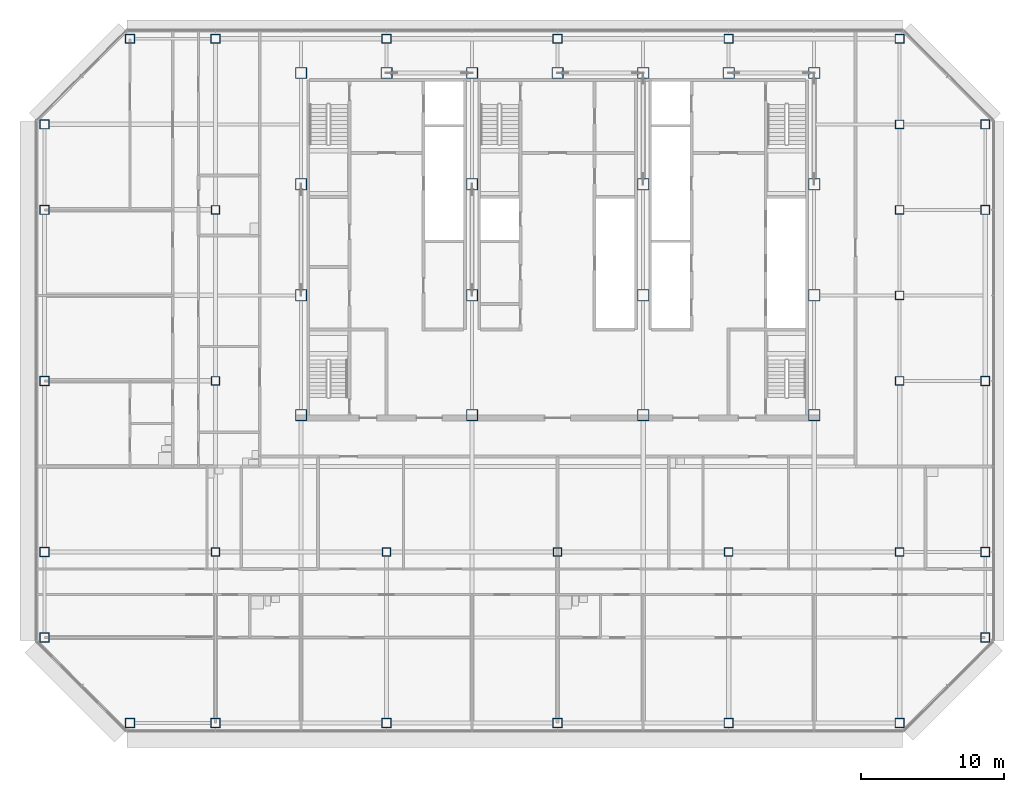
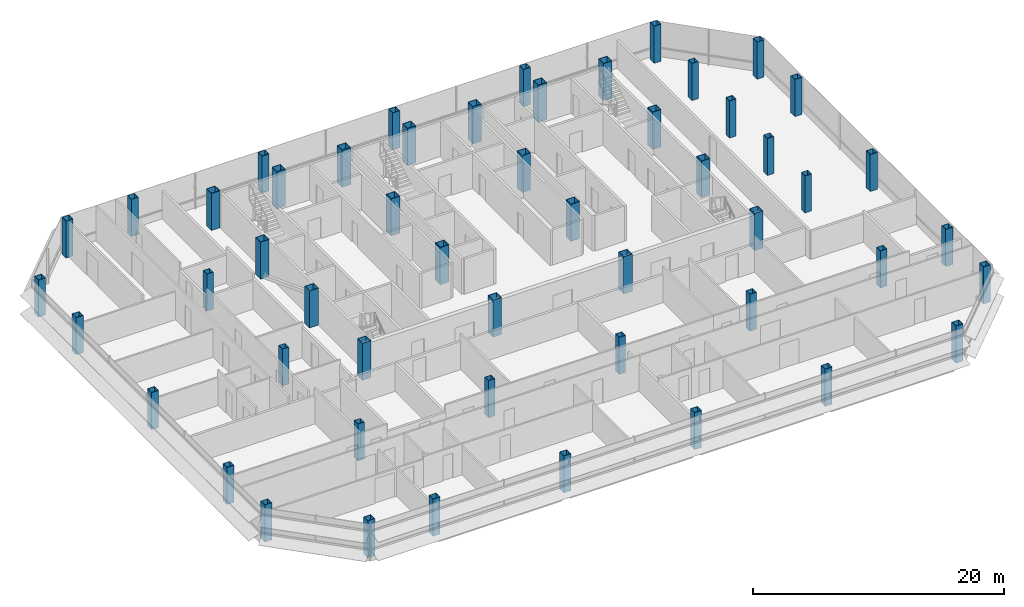
# One storey, part 1 of 26: 52 columns.
"""IFC4 building model written with IfcOpenShell, lengths in metres."""

from ifc_helpers import new_model, si_unit, direction, frame, origin, origin_2d, place, context, subcontext, project, spatial, hollow_rectangle, extrude, material, material_profile, profile_set, type_object, element, save


model = new_model("IFC4")

# Units and contexts
model_context = context("Model", 3, precision=1e-05, world=origin(), true_north=direction((0.0, 1.0)))
body_context = subcontext(model_context, "Body", "Model", "MODEL_VIEW")
ifc_project = project(units=[si_unit("LENGTHUNIT", "METRE"), si_unit("AREAUNIT", "SQUARE_METRE"), si_unit("VOLUMEUNIT", "CUBIC_METRE"), si_unit("PLANEANGLEUNIT", "RADIAN"), si_unit("MASSUNIT", "GRAM", prefix="KILO")], contexts=[model_context])

# Site, building, storey
site_placement = place(None, origin())
site = spatial("IfcSite", under=ifc_project, at=site_placement, CompositionType="ELEMENT")
building_placement = place(site_placement, origin())
building = spatial("IfcBuilding", under=site, at=building_placement, Name="Sorahane Residences", CompositionType="ELEMENT")
storey_placement = place(building_placement, frame((0.0, 0.0, 219.0)))
storey = spatial("IfcBuildingStorey", under=building, at=storey_placement, Name="L51", CompositionType="ELEMENT", Elevation=219.0)

# Columns
ifc_material_1 = material(Name="Steel Q355B", Category="steel")
ifc_material_profile_1 = material_profile(ifc_material_1, hollow_rectangle(XDim=0.60009765625, YDim=0.60009765625, WallThickness=0.028076171875, at=origin_2d()), Name="BOX 600x600x28")
ifc_profile_set_1 = profile_set([ifc_material_profile_1], Name="Steel Q355B")
column_type_1 = type_object("IfcColumnType", Name="Steel box column BOX 600x600x28 Q355B", PredefinedType="COLUMN", material=ifc_profile_set_1)
for number, where, z_axis, x_axis, name in (
    (1, (0.0, 12.0, 0.0), (0.0, 0.0, 1.0), (1.0, 0.0, 0.0), "Column L51 0/12"),
    (2, (0.0, 24.0, 0.0), (0.0, 0.0, 1.0), (1.0, 0.0, 0.0), "Column L51 0/24"),
    (3, (0.0, 36.0, 0.0), (0.0, 0.0, 1.0), (1.0, 0.0, 0.0), "Column L51 0/36"),
    (4, (12.0, 12.0, 0.0), (0.0, 0.0, 1.0), (1.0, 0.0, 0.0), "Column L51 12/12"),
    (5, (24.0, 12.0, 0.0), (0.0, 0.0, 1.0), (1.0, 0.0, 0.0), "Column L51 24/12"),
    (6, (36.0, 12.0, 0.0), (0.0, 0.0, 1.0), (1.0, 0.0, 0.0), "Column L51 36/12"),
    (7, (48.0, 12.0, 0.0), (0.0, 0.0, 1.0), (1.0, 0.0, 0.0), "Column L51 48/12"),
    (8, (48.0, 24.0, 0.0), (0.0, 0.0, 1.0), (1.0, 0.0, 0.0), "Column L51 48/24"),
    (9, (48.0, 30.0, 0.0), (0.0, 0.0, 1.0), (1.0, 0.0, 0.0), "Column L51 48/30"),
    (10, (48.0, 36.0, 0.0), (0.0, 0.0, 1.0), (1.0, 0.0, 0.0), "Column L51 48/36"),
    (11, (48.0, 42.0, 0.0), (0.0, 0.0, 1.0), (1.0, 0.0, 0.0), "Column L51 48/42"),
):
    element("IfcColumn", number, at=place(storey_placement, frame(where, z_axis=z_axis, x_axis=x_axis)), inside=storey, type_object=column_type_1, Name=name, PredefinedType="COLUMN", context=body_context, shape_type="SweptSolid", body=[
        extrude(hollow_rectangle(XDim=0.60009765625, YDim=0.60009765625, WallThickness=0.028076171875, at=origin_2d()), origin(), (0.0, 0.0, 1.0), 3.60009765625),
    ])
ifc_material_2 = material(Name="Steel Q355B", Category="steel")
ifc_material_profile_2 = material_profile(ifc_material_2, hollow_rectangle(XDim=0.64990234375, YDim=0.64990234375, WallThickness=0.031982421875, at=origin_2d()), Name="BOX 650x650x32")
ifc_profile_set_2 = profile_set([ifc_material_profile_2], Name="Steel Q355B")
column_type_2 = type_object("IfcColumnType", Name="Steel box column BOX 650x650x32 Q355B", PredefinedType="COLUMN", material=ifc_profile_set_2)
for number, where, z_axis, x_axis, name in (
    (12, (-12.0, 6.0, 0.0), (0.0, 0.0, 1.0), (1.0, 0.0, 0.0), "Column L51 m12/6"),
    (13, (-12.0, 12.0, 0.0), (0.0, 0.0, 1.0), (1.0, 0.0, 0.0), "Column L51 m12/12"),
    (14, (-12.0, 24.0, 0.0), (0.0, 0.0, 1.0), (1.0, 0.0, 0.0), "Column L51 m12/24"),
    (15, (-12.0, 36.0, 0.0), (0.0, 0.0, 1.0), (1.0, 0.0, 0.0), "Column L51 m12/36"),
    (16, (-12.0, 42.0, 0.0), (0.0, 0.0, 1.0), (1.0, 0.0, 0.0), "Column L51 m12/42"),
    (17, (-6.0, 0.0, 0.0), (0.0, 0.0, 1.0), (1.0, 0.0, 0.0), "Column L51 m6/0"),
    (18, (-6.0, 48.0, 0.0), (0.0, 0.0, 1.0), (1.0, 0.0, 0.0), "Column L51 m6/48"),
    (19, (0.0, 0.0, 0.0), (0.0, 0.0, 1.0), (1.0, 0.0, 0.0), "Column L51 0/0"),
    (20, (0.0, 48.0, 0.0), (0.0, 0.0, 1.0), (1.0, 0.0, 0.0), "Column L51 0/48"),
    (21, (12.0, 0.0, 0.0), (0.0, 0.0, 1.0), (1.0, 0.0, 0.0), "Column L51 12/0"),
    (22, (12.0, 48.0, 0.0), (0.0, 0.0, 1.0), (1.0, 0.0, 0.0), "Column L51 12/48"),
    (23, (24.0, 0.0, 0.0), (0.0, 0.0, 1.0), (1.0, 0.0, 0.0), "Column L51 24/0"),
    (24, (24.0, 48.0, 0.0), (0.0, 0.0, 1.0), (1.0, 0.0, 0.0), "Column L51 24/48"),
    (25, (36.0, 0.0, 0.0), (0.0, 0.0, 1.0), (1.0, 0.0, 0.0), "Column L51 36/0"),
    (26, (36.0, 48.0, 0.0), (0.0, 0.0, 1.0), (1.0, 0.0, 0.0), "Column L51 36/48"),
    (27, (48.0, 0.0, 0.0), (0.0, 0.0, 1.0), (1.0, 0.0, 0.0), "Column L51 48/0"),
    (28, (48.0, 48.0, 0.0), (0.0, 0.0, 1.0), (1.0, 0.0, 0.0), "Column L51 48/48"),
    (29, (54.0, 6.0, 0.0), (0.0, 0.0, 1.0), (1.0, 0.0, 0.0), "Column L51 54/6"),
    (30, (54.0, 12.0, 0.0), (0.0, 0.0, 1.0), (1.0, 0.0, 0.0), "Column L51 54/12"),
    (31, (54.0, 24.0, 0.0), (0.0, 0.0, 1.0), (1.0, 0.0, 0.0), "Column L51 54/24"),
    (32, (54.0, 36.0, 0.0), (0.0, 0.0, 1.0), (1.0, 0.0, 0.0), "Column L51 54/36"),
    (33, (54.0, 42.0, 0.0), (0.0, 0.0, 1.0), (1.0, 0.0, 0.0), "Column L51 54/42"),
):
    element("IfcColumn", number, at=place(storey_placement, frame(where, z_axis=z_axis, x_axis=x_axis)), inside=storey, type_object=column_type_2, Name=name, PredefinedType="COLUMN", context=body_context, shape_type="SweptSolid", body=[
        extrude(hollow_rectangle(XDim=0.64990234375, YDim=0.64990234375, WallThickness=0.031982421875, at=origin_2d()), origin(), (0.0, 0.0, 1.0), 3.60009765625),
    ])
ifc_material_3 = material(Name="Steel Q355B", Category="steel")
ifc_material_profile_3 = material_profile(ifc_material_3, hollow_rectangle(XDim=0.800048828125, YDim=0.800048828125, WallThickness=0.0400390625, at=origin_2d()), Name="BOX 800x800x40")
ifc_profile_set_3 = profile_set([ifc_material_profile_3], Name="Steel Q355B")
column_type_3 = type_object("IfcColumnType", Name="Steel box column BOX 800x800x40 Q355B", PredefinedType="COLUMN", material=ifc_profile_set_3)
for number, where, z_axis, x_axis, name in (
    (34, (6.0, 21.60009765625, 0.0), (0.0, 0.0, 1.0), (1.0, 0.0, 0.0), "Column L51 6/21.6"),
    (35, (6.0, 30.0, 0.0), (0.0, 0.0, 1.0), (1.0, 0.0, 0.0), "Column L51 6/30"),
    (36, (6.0, 37.800048828125, 0.0), (0.0, 0.0, 1.0), (1.0, 0.0, 0.0), "Column L51 6/37.8"),
    (37, (6.0, 45.60009765625, 0.0), (0.0, 0.0, 1.0), (1.0, 0.0, 0.0), "Column L51 6/45.6"),
    (38, (12.0, 45.60009765625, 0.0), (0.0, 0.0, 1.0), (1.0, 0.0, 0.0), "Column L51 12/45.6"),
    (39, (18.0, 21.60009765625, 0.0), (0.0, 0.0, 1.0), (1.0, 0.0, 0.0), "Column L51 18/21.6"),
    (40, (18.0, 30.0, 0.0), (0.0, 0.0, 1.0), (1.0, 0.0, 0.0), "Column L51 18/30"),
    (41, (18.0, 37.800048828125, 0.0), (0.0, 0.0, 1.0), (1.0, 0.0, 0.0), "Column L51 18/37.8"),
    (42, (18.0, 45.60009765625, 0.0), (0.0, 0.0, 1.0), (1.0, 0.0, 0.0), "Column L51 18/45.6"),
    (43, (24.0, 45.60009765625, 0.0), (0.0, 0.0, 1.0), (1.0, 0.0, 0.0), "Column L51 24/45.6"),
    (44, (30.0, 21.60009765625, 0.0), (0.0, 0.0, 1.0), (1.0, 0.0, 0.0), "Column L51 30/21.6"),
    (45, (30.0, 30.0, 0.0), (0.0, 0.0, 1.0), (1.0, 0.0, 0.0), "Column L51 30/30"),
    (46, (30.0, 37.800048828125, 0.0), (0.0, 0.0, 1.0), (1.0, 0.0, 0.0), "Column L51 30/37.8"),
    (47, (30.0, 45.60009765625, 0.0), (0.0, 0.0, 1.0), (1.0, 0.0, 0.0), "Column L51 30/45.6"),
    (48, (36.0, 45.60009765625, 0.0), (0.0, 0.0, 1.0), (1.0, 0.0, 0.0), "Column L51 36/45.6"),
    (49, (42.0, 21.60009765625, 0.0), (0.0, 0.0, 1.0), (1.0, 0.0, 0.0), "Column L51 42/21.6"),
    (50, (42.0, 30.0, 0.0), (0.0, 0.0, 1.0), (1.0, 0.0, 0.0), "Column L51 42/30"),
    (51, (42.0, 37.800048828125, 0.0), (0.0, 0.0, 1.0), (1.0, 0.0, 0.0), "Column L51 42/37.8"),
    (52, (42.0, 45.60009765625, 0.0), (0.0, 0.0, 1.0), (1.0, 0.0, 0.0), "Column L51 42/45.6"),
):
    element("IfcColumn", number, at=place(storey_placement, frame(where, z_axis=z_axis, x_axis=x_axis)), inside=storey, type_object=column_type_3, Name=name, PredefinedType="COLUMN", context=body_context, shape_type="SweptSolid", body=[
        extrude(hollow_rectangle(XDim=0.800048828125, YDim=0.800048828125, WallThickness=0.0400390625, at=origin_2d()), origin(), (0.0, 0.0, 1.0), 3.60009765625),
    ])

save(model, "model.ifc")
